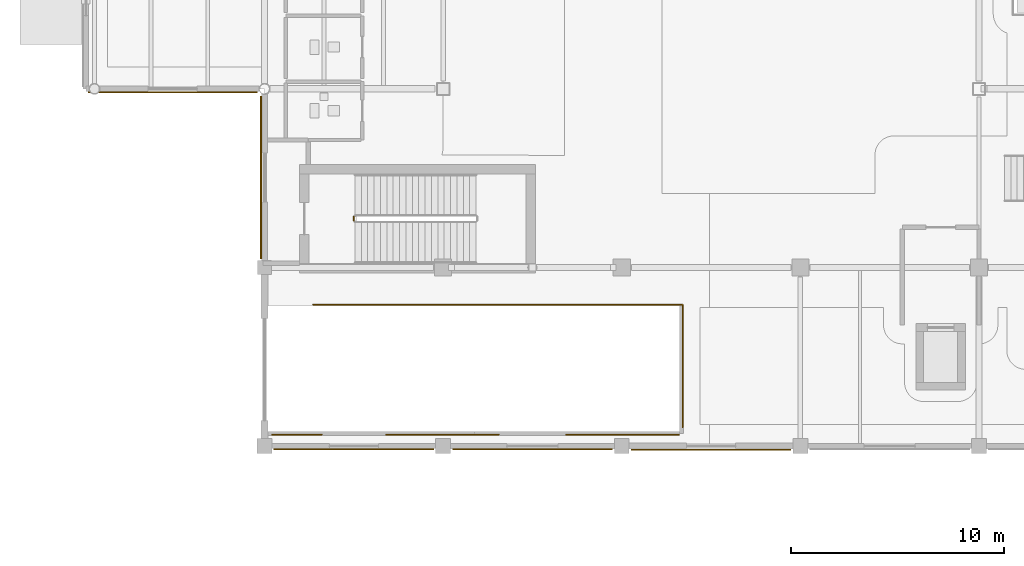
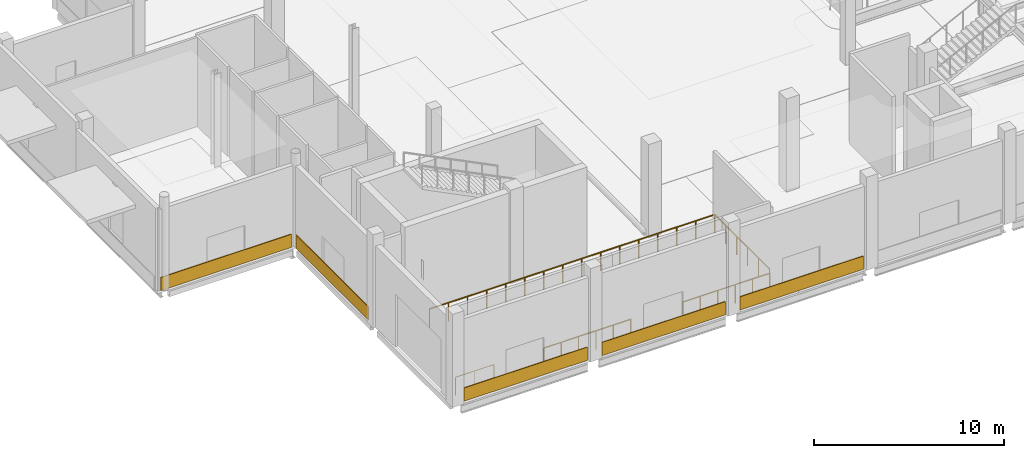
# One storey, part 64 of 85: 5 coverings, 5 railings.
"""IFC4 building model written with IfcOpenShell, lengths in metres."""

import ifcopenshell
import ifcopenshell.guid

model = None  # the IFC model being written
_history = None  # IfcOwnerHistory: only IFC2X3 demands one
_inside = {}  # id of a spatial element -> (the spatial element, [elements in it])
_under = {}  # id of a project, library or spatial element -> (it, [spatial elements below it])
_declared = {}  # id of a project -> (the project, [libraries it declares])
_typed = {}  # id of a type object -> (the type object, [elements of that type])
_made_of = {}  # id of a material, layer set ... -> (it, [elements and type objects made of it])


def new_model(schema):
    """Start an empty IFC model of exactly this schema.

    Asked for "IFC4X3", IfcOpenShell would pick the latest addendum, in which some entities
    have other attributes; the version numbers below select the first issue.
    IFC2X3 requires an IfcOwnerHistory on every rooted entity: one is made here for all.
    """
    global model, _history
    if schema == "IFC4X3":
        model = ifcopenshell.file(schema_version=(4, 3, 0, 0))
    else:
        model = ifcopenshell.file(schema=schema)
    _inside.clear()
    _under.clear()
    _declared.clear()
    _typed.clear()
    _made_of.clear()
    _history = None
    if model.schema == "IFC2X3":
        org = make("IfcOrganization", Name="unknown")
        user = make(
            "IfcPersonAndOrganization",
            ThePerson=make("IfcPerson", FamilyName="unknown"),
            TheOrganization=org,
        )
        app = make(
            "IfcApplication",
            ApplicationDeveloper=org,
            Version="unknown",
            ApplicationFullName="unknown",
            ApplicationIdentifier="unknown",
        )
        _history = make(
            "IfcOwnerHistory",
            OwningUser=user,
            OwningApplication=app,
            ChangeAction="ADDED",
            CreationDate=0,
        )
    return model


def make(cls, **values):
    """One entity of the class cls with the attributes given. An attribute that is None is left unset."""
    return model.create_entity(
        cls, **{name: value for name, value in values.items() if value is not None}
    )


def rooted(cls, **values):
    """An entity with a GlobalId (a new one), such as an element, a storey or a relation."""
    return make(cls, GlobalId=ifcopenshell.guid.new(), OwnerHistory=_history, **values)


def si_unit(unit_type, name, prefix=None):
    """IfcSIUnit, for example si_unit("LENGTHUNIT", "METRE", prefix="MILLI")."""
    return make("IfcSIUnit", UnitType=unit_type, Prefix=prefix, Name=name)


def assignment(units):
    """IfcUnitAssignment: the units of a project."""
    return None if units is None else make("IfcUnitAssignment", Units=units)


def point(xyz):
    """IfcCartesianPoint."""
    return None if xyz is None else make("IfcCartesianPoint", Coordinates=xyz)


def direction(xyz):
    """IfcDirection."""
    return None if xyz is None else make("IfcDirection", DirectionRatios=xyz)


def frame(location, z_axis=None, x_axis=None):
    """IfcAxis2Placement3D, a coordinate frame: its origin and axes. An axis left out is left unset."""
    return make(
        "IfcAxis2Placement3D",
        Location=point(location),
        Axis=direction(z_axis),
        RefDirection=direction(x_axis),
    )


def frame_2d(location, x_axis=None):
    """IfcAxis2Placement2D, a coordinate frame in the plane: its origin and x axis."""
    return make(
        "IfcAxis2Placement2D", Location=point(location), RefDirection=direction(x_axis)
    )


def origin():
    """The frame at (0, 0, 0) with its axes left unset."""
    return frame((0.0, 0.0, 0.0))


def origin_2d():
    """The frame at (0, 0) in the plane with its x axis left unset."""
    return frame_2d((0.0, 0.0))


def place(relative_to, where):
    """IfcLocalPlacement: puts the frame where relative to a parent placement (None: the world)."""
    return make(
        "IfcLocalPlacement", PlacementRelTo=relative_to, RelativePlacement=where
    )


def context(
    kind, dimensions, precision=None, world=None, true_north=None, identifier=None
):
    """IfcGeometricRepresentationContext, for example the 3D "Model" context."""
    return make(
        "IfcGeometricRepresentationContext",
        ContextIdentifier=identifier,
        ContextType=kind,
        CoordinateSpaceDimension=dimensions,
        Precision=precision,
        WorldCoordinateSystem=world,
        TrueNorth=true_north,
    )


def subcontext(parent, identifier, kind, view, scale=None):
    """IfcGeometricRepresentationSubContext, for example "Body" below "Model"."""
    return make(
        "IfcGeometricRepresentationSubContext",
        ContextIdentifier=identifier,
        ContextType=kind,
        ParentContext=parent,
        TargetScale=scale,
        TargetView=view,
    )


def project(units=None, contexts=None):
    """IfcProject with its units and contexts."""
    return rooted(
        "IfcProject",
        Name="project",
        RepresentationContexts=contexts,
        UnitsInContext=assignment(units),
    )


def spatial(cls, under=None, at=None, **own):
    """A site, building, storey or space (cls), placed at a placement, below another one or the project."""
    s = rooted(cls, ObjectPlacement=at, **own)
    if under is not None:
        _under.setdefault(under.id(), (under, []))[1].append(s)
    return s


def profile(cls, at=None, kind="AREA", **sizes):
    """A parametric profile (cls). Its sizes go by their IFC names, for example OverallWidth=200.0."""
    return make(cls, ProfileType=kind, Position=at, **sizes)


def rectangle(**sizes):
    """IfcRectangleProfileDef."""
    return profile("IfcRectangleProfileDef", **sizes)


def circle(**sizes):
    """IfcCircleProfileDef."""
    return profile("IfcCircleProfileDef", **sizes)


def extrude(swept, where, along, depth):
    """IfcExtrudedAreaSolid: the profile swept, set in the frame where, extruded along a direction by depth."""
    return make(
        "IfcExtrudedAreaSolid",
        SweptArea=swept,
        Position=where,
        ExtrudedDirection=direction(along),
        Depth=depth,
    )


def shape(context_of_items, identifier, shape_type, items):
    """IfcShapeRepresentation: the items that make up one representation, for example the "Body"."""
    return make(
        "IfcShapeRepresentation",
        ContextOfItems=context_of_items,
        RepresentationIdentifier=identifier,
        RepresentationType=shape_type,
        Items=items,
    )


def material(Name=None, Category=None):
    """IfcMaterial."""
    return make("IfcMaterial", Name=Name, Category=Category)


def layer(
    of_material, thickness, ventilated=None, Name=None, Category=None, Priority=None
):
    """IfcMaterialLayer: one layer of a wall or slab, of a material (None: an air gap)."""
    return make(
        "IfcMaterialLayer",
        Material=of_material,
        LayerThickness=thickness,
        IsVentilated=ventilated,
        Name=Name,
        Category=Category,
        Priority=Priority,
    )


def layer_set(layers, Name=None):
    """IfcMaterialLayerSet."""
    return make("IfcMaterialLayerSet", MaterialLayers=layers, LayerSetName=Name)


def made_of(thing, what):
    """Note that an element or type object is made of a material, layer set ...; save() writes the relation."""
    if what is not None:
        _made_of.setdefault(what.id(), (what, []))[1].append(thing)
    return thing


def type_object(cls, material=None, **own):
    """A type object (cls), such as IfcWallType, which elements share."""
    return made_of(rooted(cls, **own), material)


def element(
    cls,
    number,
    at=None,
    inside=None,
    cuts=None,
    type_object=None,
    material=None,
    context=None,
    identifier="Body",
    shape_type=None,
    held_by="IfcProductDefinitionShape",
    body=None,
    shapes=None,
    **own,
):
    """One element of the class cls, such as IfcWall. Its Tag is "e" and its number.

    at: its placement. inside: the storey or other place that contains it. cuts: it is an
    opening in that element (IfcRelVoidsElement). A single representation is given by context,
    identifier, shape_type and body (its items); several are given by shapes. held_by: the class
    of the entity that holds the representations. save() writes the other relations.
    """
    e = rooted(cls, Tag="e%d" % number, ObjectPlacement=at, **own)
    if body is not None:
        shapes = [shape(context, identifier, shape_type, body)]
    if shapes is not None:
        e.Representation = make(held_by, Representations=shapes)
    if inside is not None:
        _inside.setdefault(inside.id(), (inside, []))[1].append(e)
    if cuts is not None:
        rooted(
            "IfcRelVoidsElement", RelatingBuildingElement=cuts, RelatedOpeningElement=e
        )
    if type_object is not None:
        _typed.setdefault(type_object.id(), (type_object, []))[1].append(e)
    return made_of(e, material)


def aggregate(whole, parts):
    """IfcRelAggregates: a whole, such as a stair, and the parts it consists of."""
    return rooted("IfcRelAggregates", RelatingObject=whole, RelatedObjects=parts)


def save(model, path):
    """Write the relations noted so far, then the file.

    IfcRelAggregates (storeys below a building ...), IfcRelContainedInSpatialStructure (elements
    in a storey), IfcRelDefinesByType, IfcRelAssociatesMaterial and IfcRelDeclares: one each for
    every whole, place, type object, material and project.
    """
    for whole, parts in _under.values():
        aggregate(whole, parts)
    for where, things in _inside.values():
        rooted(
            "IfcRelContainedInSpatialStructure",
            RelatedElements=things,
            RelatingStructure=where,
        )
    for kind, things in _typed.values():
        rooted("IfcRelDefinesByType", RelatedObjects=things, RelatingType=kind)
    for what, things in _made_of.values():
        rooted("IfcRelAssociatesMaterial", RelatedObjects=things, RelatingMaterial=what)
    for by, libraries in _declared.values():
        rooted("IfcRelDeclares", RelatingContext=by, RelatedDefinitions=libraries)
    model.write(path)


model = new_model("IFC4")

# Units and contexts
model_context = context("Model", 3, precision=1e-05, world=origin(), true_north=direction((0.0, 1.0)))
body_context = subcontext(model_context, "Body", "Model", "MODEL_VIEW")
ifc_project = project(units=[si_unit("LENGTHUNIT", "METRE"), si_unit("AREAUNIT", "SQUARE_METRE"), si_unit("VOLUMEUNIT", "CUBIC_METRE"), si_unit("PLANEANGLEUNIT", "RADIAN"), si_unit("MASSUNIT", "GRAM", prefix="KILO"), si_unit("THERMODYNAMICTEMPERATUREUNIT", "KELVIN")], contexts=[model_context])

# Site, building, storey
site_placement = place(None, origin())
site = spatial("IfcSite", under=ifc_project, at=site_placement, CompositionType="ELEMENT")
building_placement = place(site_placement, origin())
building = spatial("IfcBuilding", under=site, at=building_placement, Name="Lustrewick Department Store", CompositionType="ELEMENT")
storey_placement = place(building_placement, origin())
storey = spatial("IfcBuildingStorey", under=building, at=storey_placement, Name="L01", CompositionType="ELEMENT", Elevation=0.0)

# Coverings
ifc_material_1 = material(Name="Rusticated Fangshan cream limestone", Category="masonry")
ifc_layer = layer(ifc_material_1, 0.050048828125, Name="Rusticated Fangshan cream limestone")
ifc_layer_set = layer_set([ifc_layer], Name="Rusticated Fangshan cream limestone")
covering_type = type_object("IfcCoveringType", Name="CLD-LIME", PredefinedType="CLADDING", material=ifc_layer_set)
covering_1_placement = place(storey_placement, frame((4.075439453125, 58.64501953125, 0.02490234375), z_axis=(0.0, 0.0, 1.0), x_axis=(1.0, 0.0, 0.0)))
element("IfcCovering", 1, at=covering_1_placement, inside=storey, type_object=covering_type, Name="L01 Limestone Plinth Band 001", PredefinedType="CLADDING", context=body_context, shape_type="SweptSolid", body=[
    extrude(rectangle(XDim=7.950927734375, YDim=0.050048828125, at=origin_2d()), origin(), (0.0, 0.0, 1.0), 0.85009765625),
])
covering_2_placement = place(storey_placement, frame((8.235107421875, 54.635498046875, 0.02490234375), z_axis=(0.0, 0.0, 1.0), x_axis=(0.0, -1.0, 0.0)))
element("IfcCovering", 2, at=covering_2_placement, inside=storey, type_object=covering_type, Name="L01 Limestone Plinth Band 002", PredefinedType="CLADDING", context=body_context, shape_type="SweptSolid", body=[
    extrude(rectangle(XDim=7.631103515625, YDim=0.050048828125, at=origin_2d()), origin(), (0.0, 0.0, 1.0), 0.85009765625),
])
for number, where, z_axis, x_axis, name in (
    (3, (12.60009765625, 41.85498046875, 0.02490234375), (0.0, 0.0, 1.0), (1.0, 0.0, 0.0), "L01 Limestone Plinth Band 003"),
    (4, (21.0, 41.844970703125, 0.02490234375), (0.0, 0.0, 1.0), (1.0, 0.0, 0.0), "L01 Limestone Plinth Band 004"),
    (5, (29.39990234375, 41.8349609375, 0.02490234375), (0.0, 0.0, 1.0), (1.0, 0.0, 0.0), "L01 Limestone Plinth Band 005"),
):
    element("IfcCovering", number, at=place(storey_placement, frame(where, z_axis=z_axis, x_axis=x_axis)), inside=storey, type_object=covering_type, Name=name, PredefinedType="CLADDING", context=body_context, shape_type="SweptSolid", body=[
        extrude(rectangle(XDim=7.510009765625, YDim=0.050048828125, at=origin_2d()), origin(), (0.0, 0.0, 1.0), 0.85009765625),
    ])

# Railings
ifc_material_2 = material(Name="Laminated safety glass and bronze atrium balustrade", Category="glass")
railing_type_1 = type_object("IfcRailingType", Name="RL-BAL", PredefinedType="BALUSTRADE", material=ifc_material_2)
railing_1_placement = place(storey_placement, frame((8.75, 42.5400390625, 0.0)))
element("IfcRailing", 6, at=railing_1_placement, inside=storey, type_object=railing_type_1, Name="L01 Vehicle Ramp Void Guardrail 0001", PredefinedType="BALUSTRADE", context=body_context, shape_type="SweptSolid", body=[
    extrude(circle(Radius=0.02392578125, at=origin_2d()), frame((0.0, 0.0, 1.17578125), z_axis=(1.0, 0.0, 0.0), x_axis=(0.0, 1.0, 0.0)), (0.0, 0.0, 1.0), 2.335205078125),
    extrude(circle(Radius=0.02099609375, at=origin_2d()), origin(), (0.0, 0.0, 1.0), 1.15185546875),
    extrude(circle(Radius=0.02099609375, at=origin_2d()), frame((1.16748046875, 0.0, 0.0)), (0.0, 0.0, 1.0), 1.15185546875),
    extrude(circle(Radius=0.02099609375, at=origin_2d()), frame((2.335205078125, 0.0, 0.0)), (0.0, 0.0, 1.0), 1.15185546875),
])
for number, where, name in (
    (7, (14.11474609375, 42.5400390625, 0.0), "L01 Vehicle Ramp Void Guardrail 0002"),
    (8, (22.5888671875, 42.5400390625, 0.0), "L01 Vehicle Ramp Void Guardrail 0003"),
):
    element("IfcRailing", number, at=place(storey_placement, frame(where)), inside=storey, type_object=railing_type_1, Name=name, PredefinedType="BALUSTRADE", context=body_context, shape_type="SweptSolid", body=[
        extrude(circle(Radius=0.02392578125, at=origin_2d()), frame((0.0, 0.0, 1.17578125), z_axis=(1.0, 0.0, 0.0), x_axis=(0.0, 1.0, 0.0)), (0.0, 0.0, 1.0), 5.29638671875),
        extrude(circle(Radius=0.02099609375, at=origin_2d()), origin(), (0.0, 0.0, 1.0), 1.15185546875),
        extrude(circle(Radius=0.02099609375, at=origin_2d()), frame((1.059326171875, 0.0, 0.0)), (0.0, 0.0, 1.0), 1.15185546875),
        extrude(circle(Radius=0.02099609375, at=origin_2d()), frame((2.11865234375, 0.0, 0.0)), (0.0, 0.0, 1.0), 1.15185546875),
        extrude(circle(Radius=0.02099609375, at=origin_2d()), frame((3.177734375, 0.0, 0.0)), (0.0, 0.0, 1.0), 1.15185546875),
        extrude(circle(Radius=0.02099609375, at=origin_2d()), frame((4.237060546875, 0.0, 0.0)), (0.0, 0.0, 1.0), 1.15185546875),
        extrude(circle(Radius=0.02099609375, at=origin_2d()), frame((5.29638671875, 0.0, 0.0)), (0.0, 0.0, 1.0), 1.15185546875),
    ])
railing_2_placement = place(storey_placement, frame((28.06005859375, 42.89208984375, 0.0)))
element("IfcRailing", 9, at=railing_2_placement, inside=storey, type_object=railing_type_1, Name="L01 Vehicle Ramp Void Guardrail 0004", PredefinedType="BALUSTRADE", context=body_context, shape_type="SweptSolid", body=[
    extrude(circle(Radius=0.02392578125, at=origin_2d()), frame((0.0, 0.0, 1.17578125), z_axis=(0.0, 1.0, 0.0), x_axis=(-1.0, 0.0, 0.0)), (0.0, 0.0, 1.0), 5.767822265625),
    extrude(circle(Radius=0.02392578125, at=origin_2d()), frame((0.0, 5.767822265625, 1.17578125), z_axis=(-1.0, 0.0, 0.0), x_axis=(0.0, -1.0, 0.0)), (0.0, 0.0, 1.0), 17.363037109375),
    extrude(circle(Radius=0.02099609375, at=origin_2d()), origin(), (0.0, 0.0, 1.0), 1.15185546875),
    extrude(circle(Radius=0.02099609375, at=origin_2d()), frame((0.0, 1.153564453125, 0.0)), (0.0, 0.0, 1.0), 1.15185546875),
    extrude(circle(Radius=0.02099609375, at=origin_2d()), frame((0.0, 2.30712890625, 0.0)), (0.0, 0.0, 1.0), 1.15185546875),
    extrude(circle(Radius=0.02099609375, at=origin_2d()), frame((0.0, 3.460693359375, 0.0)), (0.0, 0.0, 1.0), 1.15185546875),
    extrude(circle(Radius=0.02099609375, at=origin_2d()), frame((0.0, 4.6142578125, 0.0)), (0.0, 0.0, 1.0), 1.15185546875),
    extrude(circle(Radius=0.02099609375, at=origin_2d()), frame((0.0, 5.767822265625, 0.0)), (0.0, 0.0, 1.0), 1.15185546875),
    extrude(circle(Radius=0.02099609375, at=origin_2d()), frame((-1.157470703125, 5.767822265625, 0.0)), (0.0, 0.0, 1.0), 1.15185546875),
    extrude(circle(Radius=0.02099609375, at=origin_2d()), frame((-2.315185546875, 5.767822265625, 0.0)), (0.0, 0.0, 1.0), 1.15185546875),
    extrude(circle(Radius=0.02099609375, at=origin_2d()), frame((-3.47265625, 5.767822265625, 0.0)), (0.0, 0.0, 1.0), 1.15185546875),
    extrude(circle(Radius=0.02099609375, at=origin_2d()), frame((-4.630126953125, 5.767822265625, 0.0)), (0.0, 0.0, 1.0), 1.15185546875),
    extrude(circle(Radius=0.02099609375, at=origin_2d()), frame((-5.78759765625, 5.767822265625, 0.0)), (0.0, 0.0, 1.0), 1.15185546875),
    extrude(circle(Radius=0.02099609375, at=origin_2d()), frame((-6.9453125, 5.767822265625, 0.0)), (0.0, 0.0, 1.0), 1.15185546875),
    extrude(circle(Radius=0.02099609375, at=origin_2d()), frame((-8.102783203125, 5.767822265625, 0.0)), (0.0, 0.0, 1.0), 1.15185546875),
    extrude(circle(Radius=0.02099609375, at=origin_2d()), frame((-9.26025390625, 5.767822265625, 0.0)), (0.0, 0.0, 1.0), 1.15185546875),
    extrude(circle(Radius=0.02099609375, at=origin_2d()), frame((-10.417724609375, 5.767822265625, 0.0)), (0.0, 0.0, 1.0), 1.15185546875),
    extrude(circle(Radius=0.02099609375, at=origin_2d()), frame((-11.575439453125, 5.767822265625, 0.0)), (0.0, 0.0, 1.0), 1.15185546875),
    extrude(circle(Radius=0.02099609375, at=origin_2d()), frame((-12.73291015625, 5.767822265625, 0.0)), (0.0, 0.0, 1.0), 1.15185546875),
    extrude(circle(Radius=0.02099609375, at=origin_2d()), frame((-13.890380859375, 5.767822265625, 0.0)), (0.0, 0.0, 1.0), 1.15185546875),
    extrude(circle(Radius=0.02099609375, at=origin_2d()), frame((-15.0478515625, 5.767822265625, 0.0)), (0.0, 0.0, 1.0), 1.15185546875),
    extrude(circle(Radius=0.02099609375, at=origin_2d()), frame((-16.20556640625, 5.767822265625, 0.0)), (0.0, 0.0, 1.0), 1.15185546875),
    extrude(circle(Radius=0.02099609375, at=origin_2d()), frame((-17.363037109375, 5.767822265625, 0.0)), (0.0, 0.0, 1.0), 1.15185546875),
])
ifc_material_3 = material(Name="Painted tubular steel stairwell guardrail", Category="steel")
railing_type_2 = type_object("IfcRailingType", Name="RL-STG", PredefinedType="GUARDRAIL", material=ifc_material_3)
railing_3_placement = place(storey_placement, frame((12.60009765625, 52.60009765625, 0.0)))
element("IfcRailing", 10, at=railing_3_placement, inside=storey, type_object=railing_type_2, Name="L01 ST01 Stair Guard 4", PredefinedType="GUARDRAIL", context=body_context, shape_type="SweptSolid", body=[
    extrude(circle(Radius=0.02392578125, at=origin_2d()), frame((0.0, 0.0, 1.17578125), z_axis=(0.0, 1.0, 0.0), x_axis=(-1.0, 0.0, 0.0)), (0.0, 0.0, 1.0), 0.199951171875),
    extrude(circle(Radius=0.02099609375, at=origin_2d()), origin(), (0.0, 0.0, 1.0), 1.15185546875),
    extrude(circle(Radius=0.02099609375, at=origin_2d()), frame((0.0, 0.199951171875, 0.0)), (0.0, 0.0, 1.0), 1.15185546875),
])

save(model, "model.ifc")
